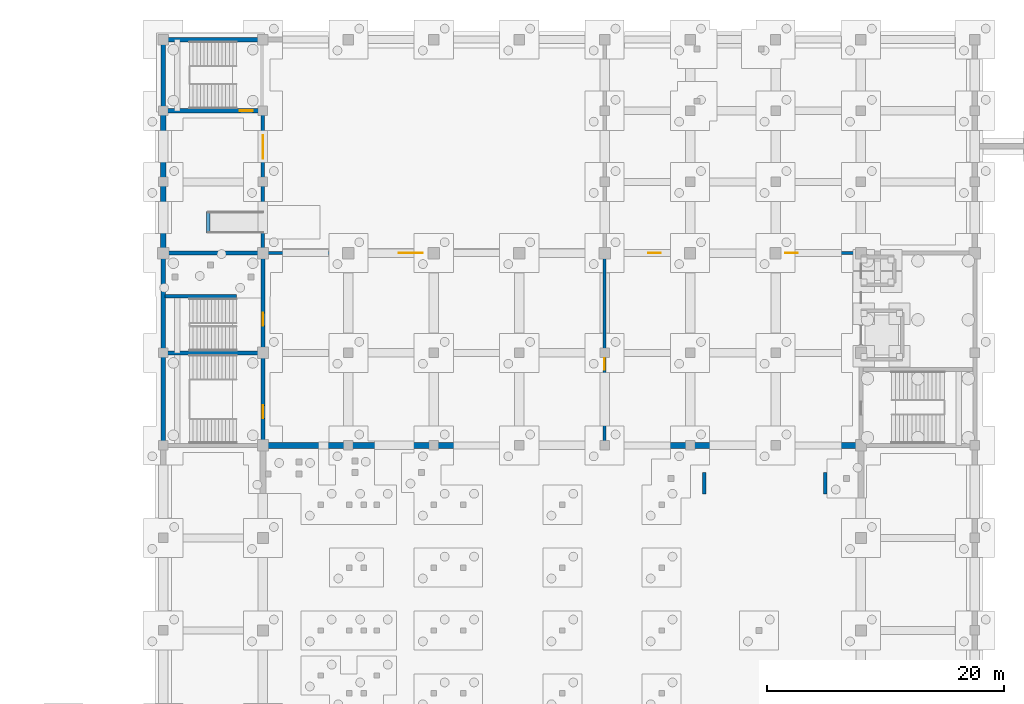
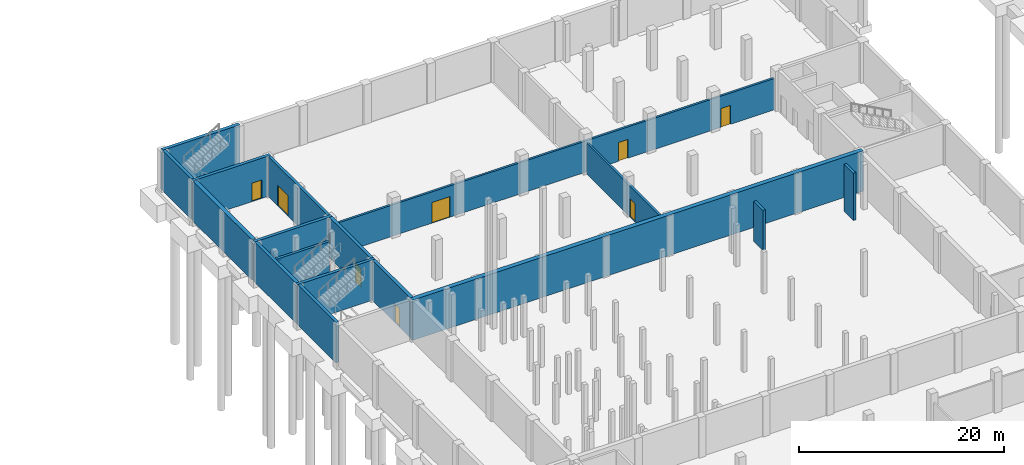
# One storey, part 32 of 42: 18 walls, 8 doors, 8 openings.
"""IFC4 building model written with IfcOpenShell, lengths in metres."""

from ifc_helpers import new_model, si_unit, direction, frame, frame_2d, origin, place, context, subcontext, project, spatial, rectangle, extrude, material, layer, layer_set, type_object, element, fill, save


model = new_model("IFC4")

# Units and contexts
model_context = context("Model", 3, precision=1e-05, world=origin(), true_north=direction((0.0, 1.0)))
body_context = subcontext(model_context, "Body", "Model", "MODEL_VIEW")
ifc_project = project(units=[si_unit("LENGTHUNIT", "METRE"), si_unit("AREAUNIT", "SQUARE_METRE"), si_unit("VOLUMEUNIT", "CUBIC_METRE"), si_unit("PLANEANGLEUNIT", "RADIAN"), si_unit("MASSUNIT", "GRAM", prefix="KILO")], contexts=[model_context])

# Site, building, storey
site_placement = place(None, origin())
site = spatial("IfcSite", under=ifc_project, at=site_placement, CompositionType="ELEMENT")
building_placement = place(site_placement, origin())
building = spatial("IfcBuilding", under=site, at=building_placement, Name="Pellamere Symphony Hall", CompositionType="ELEMENT")
storey_placement = place(building_placement, frame((0.0, 0.0, -4.800048828125)))
storey = spatial("IfcBuildingStorey", under=building, at=storey_placement, Name="B1", CompositionType="ELEMENT", Elevation=-4.800048828125)

# Wall, opening, door
ifc_material_1 = material(Name="Double-Stud STC-65 Acoustic Drywall Partition", Category="gypsum")
ifc_layer_1 = layer(ifc_material_1, 0.239990234375, Name="Double-Stud STC-65 Acoustic Drywall Partition")
ifc_layer_set_1 = layer_set([ifc_layer_1], Name="Double-Stud STC-65 Acoustic Drywall Partition")
wall_type_1 = type_object("IfcWallType", Name="Interior Partition IW-01 240mm", PredefinedType="PARTITIONING", material=ifc_layer_set_1)
wall_1_placement = place(storey_placement, frame((87.60009765625, 77.760009765625, 0.0), z_axis=(0.0, 0.0, 1.0), x_axis=(0.0, 1.0, 0.0)))
wall_1 = element("IfcWall", 1, at=wall_1_placement, inside=storey, type_object=wall_type_1, Name="Interior Partition IW-01-046 (B1)", PredefinedType="PARTITIONING", context=body_context, shape_type="SweptSolid", body=[
    extrude(rectangle(XDim=15.47998046875, YDim=0.239990234375, at=frame_2d((7.739990234375, 0.0))), origin(), (0.0, 0.0, 1.0), 3.679931640625),
])
opening_1_placement = place(wall_1_placement, frame((6.0, 0.0, 0.0)))
opening_1 = element("IfcOpeningElement", 2, at=opening_1_placement, cuts=wall_1, Name="Opening ID-FD2-004", PredefinedType="OPENING", context=body_context, shape_type="SweptSolid", body=[
    extrude(rectangle(XDim=1.0, YDim=2.199951171875, at=frame_2d((0.5, 1.10009765625))), frame((0.0, 0.1298828125, 0.0), z_axis=(0.0, -1.0, 0.0), x_axis=(1.0, 0.0, 0.0)), (0.0, 0.0, 1.0), 0.260009765625),
])
ifc_material_2 = material(Name="Fire-Rated Plant and Riser Door", Category="steel")
door_type_1 = type_object("IfcDoorType", Name="Interior Door ID-FD2 1000x2200", OperationType="NOTDEFINED", PredefinedType="DOOR", material=ifc_material_2)
door_1_placement = place(opening_1_placement, origin())
door_1 = element("IfcDoor", 3, at=door_1_placement, inside=storey, type_object=door_type_1, Name="Instrument Vault Security Door", OperationType="SINGLE_SWING_LEFT", OverallHeight=2.199951171875, OverallWidth=1.0, PredefinedType="DOOR", context=body_context, shape_type="SweptSolid", body=[
    extrude(rectangle(XDim=1.0, YDim=2.199951171875, at=frame_2d((0.5, 1.10009765625))), frame((0.0, 0.02490234375, 0.0), z_axis=(0.0, -1.0, 0.0), x_axis=(1.0, 0.0, 0.0)), (0.0, 0.0, 1.0), 0.050048828125),
])
fill(opening_1, door_1)

# Wall, openings, doors
wall_2_placement = place(storey_placement, frame((59.159912109375, 93.60009765625, 0.0), z_axis=(0.0, 0.0, 1.0), x_axis=(1.0, 0.0, 0.0)))
wall_2 = element("IfcWall", 4, at=wall_2_placement, inside=storey, type_object=wall_type_1, Name="Interior Partition IW-01-047 (B1)", PredefinedType="PARTITIONING", context=body_context, shape_type="SweptSolid", body=[
    extrude(rectangle(XDim=49.68017578125, YDim=0.239990234375, at=frame_2d((24.840087890625, 0.0))), origin(), (0.0, 0.0, 1.0), 3.72998046875),
])
opening_2_placement = place(wall_2_placement, frame((11.10009765625, 0.0, 0.0)))
opening_2 = element("IfcOpeningElement", 5, at=opening_2_placement, cuts=wall_2, Name="Opening ID-AD1-005", PredefinedType="OPENING", context=body_context, shape_type="SweptSolid", body=[
    extrude(rectangle(XDim=2.0, YDim=2.449951171875, at=frame_2d((1.0, 1.22509765625))), frame((0.0, 0.1298828125, 0.0), z_axis=(0.0, -1.0, 0.0), x_axis=(1.0, 0.0, 0.0)), (0.0, 0.0, 1.0), 0.260009765625),
])
opening_3_placement = place(wall_2_placement, frame((32.10009765625, 0.0, 0.0)))
opening_3 = element("IfcOpeningElement", 6, at=opening_3_placement, cuts=wall_2, Name="Opening ID-AD2-006", PredefinedType="OPENING", context=body_context, shape_type="SweptSolid", body=[
    extrude(rectangle(XDim=1.050048828125, YDim=2.25, at=frame_2d((0.52490234375, 1.125))), frame((0.0, 0.1298828125, 0.0), z_axis=(0.0, -1.0, 0.0), x_axis=(1.0, 0.0, 0.0)), (0.0, 0.0, 1.0), 0.260009765625),
])
opening_4_placement = place(wall_2_placement, frame((43.64990234375, 0.0, 0.0)))
opening_4 = element("IfcOpeningElement", 7, at=opening_4_placement, cuts=wall_2, Name="Opening ID-AD2-007", PredefinedType="OPENING", context=body_context, shape_type="SweptSolid", body=[
    extrude(rectangle(XDim=1.050048828125, YDim=2.25, at=frame_2d((0.52490234375, 1.125))), frame((0.0, 0.1298828125, 0.0), z_axis=(0.0, -1.0, 0.0), x_axis=(1.0, 0.0, 0.0)), (0.0, 0.0, 1.0), 0.260009765625),
])
ifc_material_3 = material(Name="STC-55 Solid White Oak Acoustic Hall Entry Door", Category="wood")
door_type_2 = type_object("IfcDoorType", Name="Interior Door ID-AD1 2000x2450", OperationType="NOTDEFINED", PredefinedType="DOOR", material=ifc_material_3)
door_2_placement = place(opening_2_placement, origin())
door_2 = element("IfcDoor", 8, at=door_2_placement, inside=storey, type_object=door_type_2, Name="Recording Studio Sound-Lock Entry", OperationType="DOUBLE_DOOR_SINGLE_SWING", OverallHeight=2.449951171875, OverallWidth=2.0, PredefinedType="DOOR", context=body_context, shape_type="SweptSolid", body=[
    extrude(rectangle(XDim=2.0, YDim=2.449951171875, at=frame_2d((1.0, 1.22509765625))), frame((0.0, 0.02490234375, 0.0), z_axis=(0.0, -1.0, 0.0), x_axis=(1.0, 0.0, 0.0)), (0.0, 0.0, 1.0), 0.050048828125),
])
fill(opening_2, door_2)
ifc_material_4 = material(Name="STC-50 Oak Acoustic Studio Door", Category="wood")
door_type_3 = type_object("IfcDoorType", Name="Interior Door ID-AD2 1050x2250", OperationType="NOTDEFINED", PredefinedType="DOOR", material=ifc_material_4)
door_3_placement = place(opening_3_placement, origin())
door_3 = element("IfcDoor", 9, at=door_3_placement, inside=storey, type_object=door_type_3, Name="Master Audio Control Suite Door", OperationType="SINGLE_SWING_RIGHT", OverallHeight=2.25, OverallWidth=1.050048828125, PredefinedType="DOOR", context=body_context, shape_type="SweptSolid", body=[
    extrude(rectangle(XDim=1.050048828125, YDim=2.25, at=frame_2d((0.52490234375, 1.125))), frame((0.0, 0.02490234375, 0.0), z_axis=(0.0, -1.0, 0.0), x_axis=(1.0, 0.0, 0.0)), (0.0, 0.0, 1.0), 0.050048828125),
])
fill(opening_3, door_3)
door_4_placement = place(opening_4_placement, origin())
door_4 = element("IfcDoor", 10, at=door_4_placement, inside=storey, type_object=door_type_3, Name="Soloist Isolation Suite Door", OperationType="SINGLE_SWING_LEFT", OverallHeight=2.25, OverallWidth=1.050048828125, PredefinedType="DOOR", context=body_context, shape_type="SweptSolid", body=[
    extrude(rectangle(XDim=1.050048828125, YDim=2.25, at=frame_2d((0.52490234375, 1.125))), frame((0.0, 0.02490234375, 0.0), z_axis=(0.0, -1.0, 0.0), x_axis=(1.0, 0.0, 0.0)), (0.0, 0.0, 1.0), 0.050048828125),
])
fill(opening_4, door_4)

# Walls
ifc_material_5 = material(Name="Concrete 40 MPa", Category="concrete")
ifc_layer_2 = layer(ifc_material_5, 0.449951171875, Name="Concrete 40 MPa")
ifc_layer_set_2 = layer_set([ifc_layer_2], Name="Concrete 40 MPa")
wall_type_2 = type_object("IfcWallType", Name="Structural Wall SW-01 450mm", PredefinedType="USERDEFINED", material=ifc_layer_set_2)
wall_3_placement = place(storey_placement, frame((50.39990234375, 93.85009765625, 0.0), z_axis=(0.0, 0.0, 1.0), x_axis=(0.0, 1.0, 0.0)))
element("IfcWall", 11, at=wall_3_placement, inside=storey, type_object=wall_type_2, Name="Basement Retaining Wall RW-04", ObjectType="RETAINING", PredefinedType="USERDEFINED", context=body_context, shape_type="SweptSolid", body=[
    extrude(rectangle(XDim=11.5, YDim=0.449951171875, at=frame_2d((5.75, 0.0))), origin(), (0.0, 0.0, 1.0), 4.800048828125),
])
ifc_layer_3 = layer(ifc_material_5, 0.35009765625, Name="Concrete 40 MPa")
ifc_layer_set_3 = layer_set([ifc_layer_3], Name="Concrete 40 MPa")
wall_type_3 = type_object("IfcWallType", Name="Structural Wall SW-03 350mm", PredefinedType="SHEAR", material=ifc_layer_set_3)
wall_4_placement = place(storey_placement, frame((50.22509765625, 85.199951171875, 0.0), z_axis=(0.0, 0.0, 1.0), x_axis=(1.0, 0.0, 0.0)))
element("IfcWall", 12, at=wall_4_placement, inside=storey, type_object=wall_type_3, Name="Stair ST07 Enclosure Wall N (B1)", PredefinedType="SHEAR", context=body_context, shape_type="SweptSolid", body=[
    extrude(rectangle(XDim=8.75, YDim=0.35009765625, at=frame_2d((4.375, 0.0))), origin(), (0.0, 0.0, 1.0), 4.800048828125),
])
wall_5_placement = place(storey_placement, frame((50.39990234375, 77.574951171875, 0.0), z_axis=(0.0, 0.0, 1.0), x_axis=(0.0, 1.0, 0.0)))
element("IfcWall", 13, at=wall_5_placement, inside=storey, type_object=wall_type_3, Name="Stair ST07 Enclosure Wall W (B1)", PredefinedType="SHEAR", context=body_context, shape_type="SweptSolid", body=[
    extrude(rectangle(XDim=7.449951171875, YDim=0.35009765625, at=frame_2d((3.72509765625, 0.0))), origin(), (0.0, 0.0, 1.0), 4.800048828125),
])

# Wall, opening, door
wall_6_placement = place(storey_placement, frame((58.800048828125, 77.574951171875, 0.0), z_axis=(0.0, 0.0, 1.0), x_axis=(0.0, 1.0, 0.0)))
wall_6 = element("IfcWall", 14, at=wall_6_placement, inside=storey, type_object=wall_type_3, Name="Stair ST07 Enclosure Wall E (B1)", PredefinedType="SHEAR", context=body_context, shape_type="SweptSolid", body=[
    extrude(rectangle(XDim=7.449951171875, YDim=0.35009765625, at=frame_2d((3.72509765625, 0.0))), origin(), (0.0, 0.0, 1.0), 4.800048828125),
])
opening_5_placement = place(wall_6_placement, frame((2.10009765625, 0.0, 0.0)))
opening_5 = element("IfcOpeningElement", 15, at=opening_5_placement, cuts=wall_6, Name="Opening SD-37", PredefinedType="OPENING", context=body_context, shape_type="SweptSolid", body=[
    extrude(rectangle(XDim=1.10009765625, YDim=2.199951171875, at=frame_2d((0.550048828125, 1.10009765625))), frame((0.0, 0.18505859375, 0.0), z_axis=(0.0, -1.0, 0.0), x_axis=(1.0, 0.0, 0.0)), (0.0, 0.0, 1.0), 0.3701171875),
])
ifc_material_6 = material(Name="Fire-Rated Steel Exit Stair Door", Category="steel")
door_type_4 = type_object("IfcDoorType", Name="Interior Door ID-SD1 1100x2200", OperationType="NOTDEFINED", PredefinedType="DOOR", material=ifc_material_6)
door_5_placement = place(opening_5_placement, origin())
door_5 = element("IfcDoor", 16, at=door_5_placement, inside=storey, type_object=door_type_4, Name="Exit Stair ST07 Door (B1)", OperationType="SINGLE_SWING_LEFT", OverallHeight=2.199951171875, OverallWidth=1.10009765625, PredefinedType="DOOR", context=body_context, shape_type="SweptSolid", body=[
    extrude(rectangle(XDim=1.10009765625, YDim=2.199951171875, at=frame_2d((0.550048828125, 1.10009765625))), frame((0.0, 0.02490234375, 0.0), z_axis=(0.0, -1.0, 0.0), x_axis=(1.0, 0.0, 0.0)), (0.0, 0.0, 1.0), 0.050048828125),
])
fill(opening_5, door_5)

wall_7_placement = place(storey_placement, frame((50.22509765625, 105.60009765625, 0.0), z_axis=(0.0, 0.0, 1.0), x_axis=(1.0, 0.0, 0.0)))
wall_7 = element("IfcWall", 17, at=wall_7_placement, inside=storey, type_object=wall_type_3, Name="Stair ST10 Enclosure Wall S (B1)", PredefinedType="SHEAR", context=body_context, shape_type="SweptSolid", body=[
    extrude(rectangle(XDim=8.75, YDim=0.35009765625, at=frame_2d((4.375, 0.0))), origin(), (0.0, 0.0, 1.0), 4.800048828125),
])
opening_6_placement = place(wall_7_placement, frame((6.625, 0.0, 0.0)))
opening_6 = element("IfcOpeningElement", 18, at=opening_6_placement, cuts=wall_7, Name="Opening SD-51", PredefinedType="OPENING", context=body_context, shape_type="SweptSolid", body=[
    extrude(rectangle(XDim=1.10009765625, YDim=2.199951171875, at=frame_2d((0.550048828125, 1.10009765625))), frame((0.0, 0.18505859375, 0.0), z_axis=(0.0, -1.0, 0.0), x_axis=(1.0, 0.0, 0.0)), (0.0, 0.0, 1.0), 0.3701171875),
])
door_6_placement = place(opening_6_placement, frame((1.10009765625, 0.0, 0.0), z_axis=(0.0, 0.0, 1.0), x_axis=(-1.0, 0.0, 0.0)))
door_6 = element("IfcDoor", 19, at=door_6_placement, inside=storey, type_object=door_type_4, Name="Exit Stair ST10 Door (B1)", OperationType="SINGLE_SWING_LEFT", OverallHeight=2.199951171875, OverallWidth=1.10009765625, PredefinedType="DOOR", context=body_context, shape_type="SweptSolid", body=[
    extrude(rectangle(XDim=1.10009765625, YDim=2.199951171875, at=frame_2d((0.550048828125, 1.10009765625))), frame((0.0, 0.02490234375, 0.0), z_axis=(0.0, -1.0, 0.0), x_axis=(1.0, 0.0, 0.0)), (0.0, 0.0, 1.0), 0.050048828125),
])
fill(opening_6, door_6)

# Walls
wall_8_placement = place(storey_placement, frame((50.39990234375, 105.77490234375, 0.0), z_axis=(0.0, 0.0, 1.0), x_axis=(0.0, 1.0, 0.0)))
element("IfcWall", 20, at=wall_8_placement, inside=storey, type_object=wall_type_3, Name="Stair ST10 Enclosure Wall W (B1)", PredefinedType="SHEAR", context=body_context, shape_type="SweptSolid", body=[
    extrude(rectangle(XDim=5.650146484375, YDim=0.35009765625, at=frame_2d((2.8251953125, 0.0))), origin(), (0.0, 0.0, 1.0), 4.800048828125),
])
wall_9_placement = place(storey_placement, frame((50.22509765625, 93.60009765625, 0.0), z_axis=(0.0, 0.0, 1.0), x_axis=(1.0, 0.0, 0.0)))
element("IfcWall", 21, at=wall_9_placement, inside=storey, type_object=wall_type_3, Name="Stair ST13 Enclosure Wall N (B1)", PredefinedType="SHEAR", context=body_context, shape_type="SweptSolid", body=[
    extrude(rectangle(XDim=8.75, YDim=0.35009765625, at=frame_2d((4.375, 0.0))), origin(), (0.0, 0.0, 1.0), 4.800048828125),
])
wall_10_placement = place(storey_placement, frame((50.39990234375, 85.375, 0.0), z_axis=(0.0, 0.0, 1.0), x_axis=(0.0, 1.0, 0.0)))
element("IfcWall", 22, at=wall_10_placement, inside=storey, type_object=wall_type_3, Name="Stair ST13 Enclosure Wall W (B1)", PredefinedType="SHEAR", context=body_context, shape_type="SweptSolid", body=[
    extrude(rectangle(XDim=8.050048828125, YDim=0.35009765625, at=frame_2d((4.02490234375, 0.0))), origin(), (0.0, 0.0, 1.0), 4.800048828125),
])

# Wall, opening, door
wall_11_placement = place(storey_placement, frame((58.800048828125, 85.375, 0.0), z_axis=(0.0, 0.0, 1.0), x_axis=(0.0, 1.0, 0.0)))
wall_11 = element("IfcWall", 23, at=wall_11_placement, inside=storey, type_object=wall_type_3, Name="Stair ST13 Enclosure Wall E (B1)", PredefinedType="SHEAR", context=body_context, shape_type="SweptSolid", body=[
    extrude(rectangle(XDim=8.050048828125, YDim=0.35009765625, at=frame_2d((4.02490234375, 0.0))), origin(), (0.0, 0.0, 1.0), 4.800048828125),
])
opening_7_placement = place(wall_11_placement, frame((2.10009765625, 0.0, 0.0)))
opening_7 = element("IfcOpeningElement", 24, at=opening_7_placement, cuts=wall_11, Name="Opening SD-58", PredefinedType="OPENING", context=body_context, shape_type="SweptSolid", body=[
    extrude(rectangle(XDim=1.10009765625, YDim=2.199951171875, at=frame_2d((0.550048828125, 1.10009765625))), frame((0.0, 0.18505859375, 0.0), z_axis=(0.0, -1.0, 0.0), x_axis=(1.0, 0.0, 0.0)), (0.0, 0.0, 1.0), 0.3701171875),
])
door_7_placement = place(opening_7_placement, origin())
door_7 = element("IfcDoor", 25, at=door_7_placement, inside=storey, type_object=door_type_4, Name="Exit Stair ST13 Door (B1)", OperationType="SINGLE_SWING_RIGHT", OverallHeight=2.199951171875, OverallWidth=1.10009765625, PredefinedType="DOOR", context=body_context, shape_type="SweptSolid", body=[
    extrude(rectangle(XDim=1.10009765625, YDim=2.199951171875, at=frame_2d((0.550048828125, 1.10009765625))), frame((0.0, 0.02490234375, 0.0), z_axis=(0.0, -1.0, 0.0), x_axis=(1.0, 0.0, 0.0)), (0.0, 0.0, 1.0), 0.050048828125),
])
fill(opening_7, door_7)

ifc_layer_4 = layer(ifc_material_5, 0.300048828125, Name="Concrete 40 MPa")
ifc_layer_set_4 = layer_set([ifc_layer_4], Name="Concrete 40 MPa")
wall_type_4 = type_object("IfcWallType", Name="Structural Wall SW-04 300mm", PredefinedType="SHEAR", material=ifc_layer_set_4)
wall_12_placement = place(storey_placement, frame((58.800048828125, 93.75, 0.0), z_axis=(0.0, 0.0, 1.0), x_axis=(0.0, 1.0, 0.0)))
wall_12 = element("IfcWall", 26, at=wall_12_placement, inside=storey, type_object=wall_type_4, Name="Rehearsal Hall Acoustic Wall AW3-W (B1)", PredefinedType="SHEAR", context=body_context, shape_type="SweptSolid", body=[
    extrude(rectangle(XDim=11.60009765625, YDim=0.300048828125, at=frame_2d((5.800048828125, 0.0))), origin(), (0.0, 0.0, 1.0), 4.800048828125),
])
opening_8_placement = place(wall_12_placement, frame((7.800048828125, 0.0, 0.0)))
opening_8 = element("IfcOpeningElement", 27, at=opening_8_placement, cuts=wall_12, Name="Opening AD-81", PredefinedType="OPENING", context=body_context, shape_type="SweptSolid", body=[
    extrude(rectangle(XDim=2.0, YDim=2.449951171875, at=frame_2d((1.0, 1.22509765625))), frame((0.0, 0.159912109375, 0.0), z_axis=(0.0, -1.0, 0.0), x_axis=(1.0, 0.0, 0.0)), (0.0, 0.0, 1.0), 0.320068359375),
])
door_8_placement = place(opening_8_placement, origin())
door_8 = element("IfcDoor", 28, at=door_8_placement, inside=storey, type_object=door_type_2, Name="Recording Studio West Vestibule Lock Door", OperationType="DOUBLE_DOOR_SINGLE_SWING", OverallHeight=2.449951171875, OverallWidth=2.0, PredefinedType="DOOR", context=body_context, shape_type="SweptSolid", body=[
    extrude(rectangle(XDim=2.0, YDim=2.449951171875, at=frame_2d((1.0, 1.22509765625))), frame((0.0, 0.02490234375, 0.0), z_axis=(0.0, -1.0, 0.0), x_axis=(1.0, 0.0, 0.0)), (0.0, 0.0, 1.0), 0.050048828125),
])
fill(opening_8, door_8)

# Walls
wall_13_placement = place(storey_placement, frame((50.56494140625, 89.949951171875, 0.0), z_axis=(0.0, 0.0, 1.0), x_axis=(1.0, 0.0, 0.0)))
element("IfcWall", 29, at=wall_13_placement, inside=storey, type_object=wall_type_4, Name="Stair ST13 Discharge Divider Wall (B1)", PredefinedType="SHEAR", context=body_context, shape_type="SweptSolid", body=[
    extrude(rectangle(XDim=6.010009765625, YDim=0.300048828125, at=frame_2d((3.0048828125, 0.0))), origin(), (0.0, 0.0, 1.0), 4.800048828125),
])
wall_14_placement = place(storey_placement, frame((96.0, 73.300048828125, 0.0), z_axis=(0.0, 0.0, 1.0), x_axis=(0.0, 1.0, 0.0)))
element("IfcWall", 30, at=wall_14_placement, inside=storey, type_object=wall_type_4, Name="Accessible Orchestra Stage Ramp End Bearing Wall 1", PredefinedType="SHEAR", context=body_context, shape_type="SweptSolid", body=[
    extrude(rectangle(XDim=1.800048828125, YDim=0.300048828125, at=frame_2d((0.89990234375, 0.0))), origin(), (0.0, 0.0, 1.0), 4.780029296875),
])
wall_15_placement = place(storey_placement, frame((106.199951171875, 73.300048828125, 0.0), z_axis=(0.0, 0.0, 1.0), x_axis=(0.0, 1.0, 0.0)))
element("IfcWall", 31, at=wall_15_placement, inside=storey, type_object=wall_type_4, Name="Accessible Orchestra Stage Ramp End Bearing Wall 2", PredefinedType="SHEAR", context=body_context, shape_type="SweptSolid", body=[
    extrude(rectangle(XDim=1.800048828125, YDim=0.300048828125, at=frame_2d((0.89990234375, 0.0))), origin(), (0.0, 0.0, 1.0), 5.630126953125),
])
wall_16_placement = place(storey_placement, frame((54.199951171875, 95.300048828125, 0.0), z_axis=(0.0, 0.0, 1.0), x_axis=(0.0, 1.0, 0.0)))
element("IfcWall", 32, at=wall_16_placement, inside=storey, type_object=wall_type_4, Name="Recording Studio Floating Slab Threshold Ramp End Bearing Wall 1", PredefinedType="SHEAR", context=body_context, shape_type="SweptSolid", body=[
    extrude(rectangle(XDim=1.800048828125, YDim=0.300048828125, at=frame_2d((0.89990234375, 0.0))), origin(), (0.0, 0.0, 1.0), 0.239990234375),
])
ifc_material_7 = material(Name="Architectural warm-pigmented concrete 40 MPa", Category="concrete")
ifc_layer_5 = layer(ifc_material_7, 0.5, Name="Architectural warm-pigmented concrete 40 MPa")
ifc_layer_set_5 = layer_set([ifc_layer_5], Name="Architectural warm-pigmented concrete 40 MPa")
wall_type_5 = type_object("IfcWallType", Name="Structural Wall SW-05 500mm", PredefinedType="SOLIDWALL", material=ifc_layer_set_5)
wall_17_placement = place(storey_placement, frame((58.590087890625, 77.39990234375, 0.0), z_axis=(0.0, 0.0, 1.0), x_axis=(1.0, 0.0, 0.0)))
element("IfcWall", 33, at=wall_17_placement, inside=storey, type_object=wall_type_5, Name="Main Hall Acoustic Box Wall AW1-N (B1)", PredefinedType="SOLIDWALL", context=body_context, shape_type="SweptSolid", body=[
    extrude(rectangle(XDim=50.81982421875, YDim=0.5, at=frame_2d((25.409912109375, 0.0))), origin(), (0.0, 0.0, 1.0), 4.800048828125),
])
ifc_layer_6 = layer(ifc_material_5, 0.3798828125, Name="Concrete 40 MPa")
ifc_layer_set_6 = layer_set([ifc_layer_6], Name="Concrete 40 MPa")
wall_type_6 = type_object("IfcWallType", Name="Structural Wall SW-07 380mm", PredefinedType="SHEAR", material=ifc_layer_set_6)
wall_18_placement = place(storey_placement, frame((50.22509765625, 111.60009765625, 0.0), z_axis=(0.0, 0.0, 1.0), x_axis=(1.0, 0.0, 0.0)))
element("IfcWall", 34, at=wall_18_placement, inside=storey, type_object=wall_type_6, Name="Stair ST10 Enclosure Wall N (B1)", PredefinedType="SHEAR", context=body_context, shape_type="SweptSolid", body=[
    extrude(rectangle(XDim=8.75, YDim=0.3798828125, at=frame_2d((4.375, 0.0))), origin(), (0.0, 0.0, 1.0), 4.800048828125),
])

save(model, "model.ifc")
